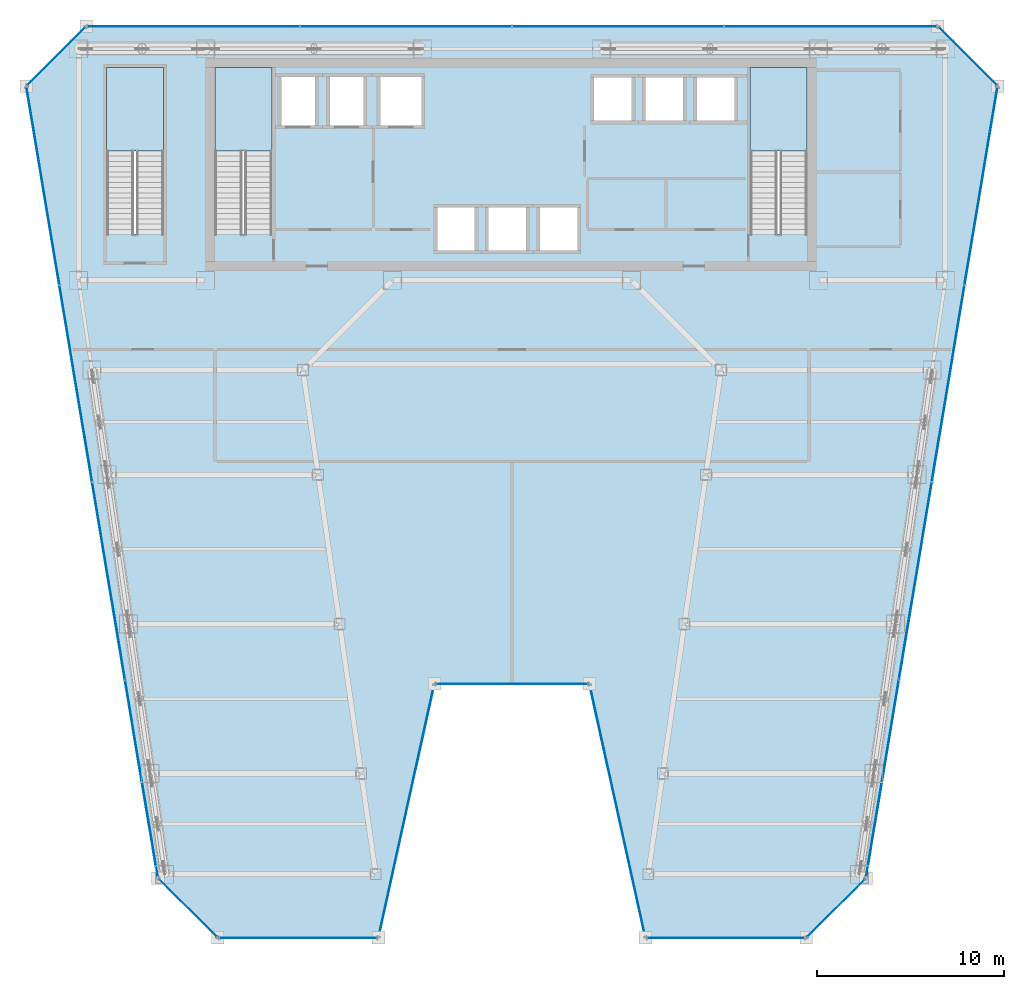
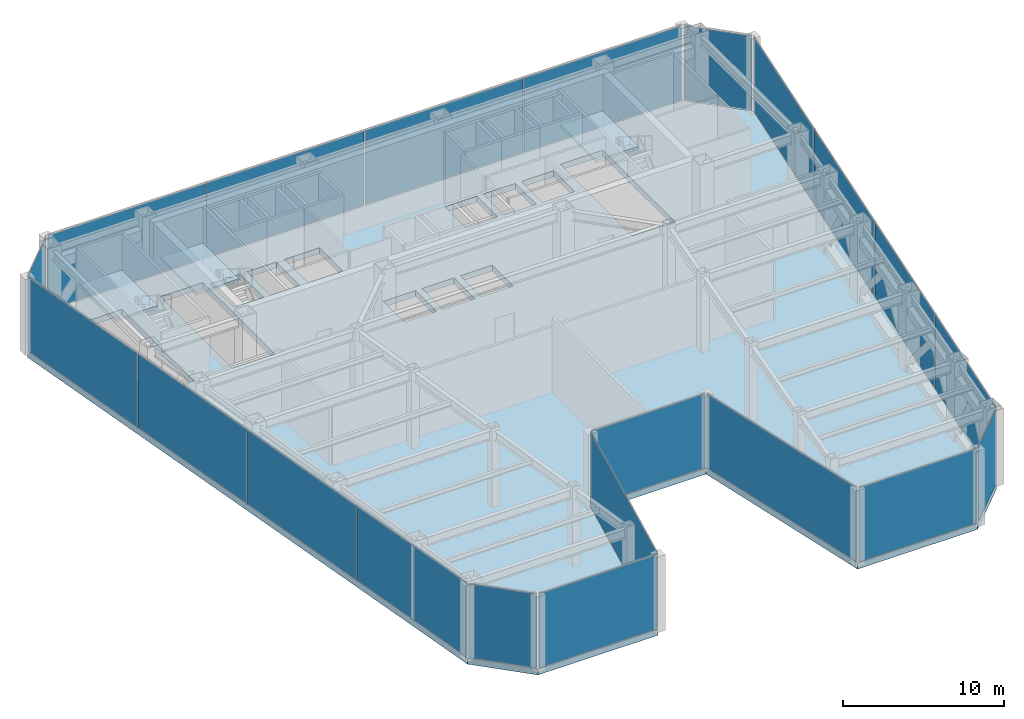
# One storey, part 24 of 30: 21 plates, 4 slabs, 15 elements without a shape of their own.
"""IFC4 building model written with IfcOpenShell, lengths in metres."""

from ifc_helpers import new_model, si_unit, direction, frame, origin, origin_2d, place, context, subcontext, project, spatial, polyline, rectangle, outline, extrude, material, layer, layer_set, type_object, element, aggregate, save


model = new_model("IFC4")

# Units and contexts
model_context = context("Model", 3, precision=1e-05, world=origin(), true_north=direction((0.0, 1.0)))
body_context = subcontext(model_context, "Body", "Model", "MODEL_VIEW")
ifc_project = project(units=[si_unit("LENGTHUNIT", "METRE"), si_unit("AREAUNIT", "SQUARE_METRE"), si_unit("VOLUMEUNIT", "CUBIC_METRE"), si_unit("PLANEANGLEUNIT", "RADIAN"), si_unit("MASSUNIT", "GRAM", prefix="KILO")], contexts=[model_context])

# Site, building, storey
site_placement = place(None, origin())
site = spatial("IfcSite", under=ifc_project, at=site_placement, CompositionType="ELEMENT")
building_placement = place(site_placement, origin())
building = spatial("IfcBuilding", under=site, at=building_placement, Name="Saevonmaru Cultural Tower", CompositionType="ELEMENT")
storey_placement = place(building_placement, frame((0.0, 0.0, 123.60009765625)))
storey = spatial("IfcBuildingStorey", under=building, at=storey_placement, Name="L26", CompositionType="ELEMENT", Elevation=123.60009765625)

# Curtain wall, plate
ifc_material_1 = material(Name="Satin Bronze Anodised Aluminium", Category="aluminium")
curtain_wall_type = type_object("IfcCurtainWallType", Name="CW-TYP-A", PredefinedType="NOTDEFINED", material=ifc_material_1)
curtain_wall_1_placement = place(storey_placement, origin())
curtain_wall_1 = element("IfcCurtainWall", 1, at=curtain_wall_1_placement, inside=storey, type_object=curtain_wall_type, Name="L26 Wind-Floor Acoustic Louvre Screen E1", PredefinedType="NOTDEFINED")
ifc_material_2 = material(Name="Champagne Bronze Anodised Aluminium", Category="aluminium")
ifc_layer_1 = layer(ifc_material_2, 0.080078125, Name="Champagne Bronze Anodised Aluminium")
ifc_layer_set_1 = layer_set([ifc_layer_1], Name="Champagne Bronze Anodised Aluminium")
plate_type = type_object("IfcPlateType", Name="PN-LOUVRE-WIND", PredefinedType="CURTAIN_PANEL", material=ifc_layer_set_1)
plate_1_placement = place(storey_placement, frame((12.64892578125, 8.800048828125, 0.06689453125), z_axis=(0.0, 0.0, 1.0), x_axis=(0.707106781187, -0.707106781187, 0.0)))
plate_1 = element("IfcPlate", 2, at=plate_1_placement, type_object=plate_type, Name="CW-TW-L26-E1 panel 1.1", PredefinedType="CURTAIN_PANEL", context=body_context, shape_type="SweptSolid", body=[
    extrude(rectangle(XDim=4.336669921875, YDim=0.035888671875, at=origin_2d()), origin(), (0.0, 0.0, 1.0), 5.615966796875),
])
aggregate(curtain_wall_1, [plate_1])

curtain_wall_2_placement = place(storey_placement, origin())
curtain_wall_2 = element("IfcCurtainWall", 3, at=curtain_wall_2_placement, inside=storey, type_object=curtain_wall_type, Name="L26 Wind-Floor Acoustic Louvre Screen E2", PredefinedType="NOTDEFINED")
plate_2_placement = place(storey_placement, frame((18.548828125, 7.199951171875, 0.06689453125), z_axis=(0.0, 0.0, 1.0), x_axis=(1.0, 0.0, 0.0)))
plate_2 = element("IfcPlate", 4, at=plate_2_placement, type_object=plate_type, Name="CW-TW-L26-E2 panel 1.1", PredefinedType="CURTAIN_PANEL", context=body_context, shape_type="SweptSolid", body=[
    extrude(rectangle(XDim=8.410888671875, YDim=0.035888671875, at=origin_2d()), origin(), (0.0, 0.0, 1.0), 5.615966796875),
])
aggregate(curtain_wall_2, [plate_2])

curtain_wall_3_placement = place(storey_placement, origin())
curtain_wall_3 = element("IfcCurtainWall", 5, at=curtain_wall_3_placement, inside=storey, type_object=curtain_wall_type, Name="L26 Wind-Floor Acoustic Louvre Screen E3", PredefinedType="NOTDEFINED")
plate_3_placement = place(storey_placement, frame((24.348876953125, 14.0, 0.06689453125), z_axis=(0.0, 0.0, 1.0), x_axis=(0.215413319953, 0.976522965212, 0.0)))
plate_3 = element("IfcPlate", 6, at=plate_3_placement, type_object=plate_type, Name="CW-TW-L26-E3 panel 1.1", PredefinedType="CURTAIN_PANEL", context=body_context, shape_type="SweptSolid", body=[
    extrude(rectangle(XDim=13.738037109375, YDim=0.035888671875, at=origin_2d()), origin(), (0.0, 0.0, 1.0), 5.615966796875),
])
aggregate(curtain_wall_3, [plate_3])

curtain_wall_4_placement = place(storey_placement, origin())
curtain_wall_4 = element("IfcCurtainWall", 7, at=curtain_wall_4_placement, inside=storey, type_object=curtain_wall_type, Name="L26 Wind-Floor Acoustic Louvre Screen E4", PredefinedType="NOTDEFINED")
plate_4_placement = place(storey_placement, frame((30.0, 20.800048828125, 0.06689453125), z_axis=(0.0, 0.0, 1.0), x_axis=(1.0, 0.0, 0.0)))
plate_4 = element("IfcPlate", 8, at=plate_4_placement, type_object=plate_type, Name="CW-TW-L26-E4 panel 1.1", PredefinedType="CURTAIN_PANEL", context=body_context, shape_type="SweptSolid", body=[
    extrude(rectangle(XDim=8.11328125, YDim=0.035888671875, at=origin_2d()), origin(), (0.0, 0.0, 1.0), 5.615966796875),
])
aggregate(curtain_wall_4, [plate_4])

curtain_wall_5_placement = place(storey_placement, origin())
curtain_wall_5 = element("IfcCurtainWall", 9, at=curtain_wall_5_placement, inside=storey, type_object=curtain_wall_type, Name="L26 Wind-Floor Acoustic Louvre Screen E5", PredefinedType="NOTDEFINED")
plate_5_placement = place(storey_placement, frame((35.651123046875, 14.0, 0.06689453125), z_axis=(0.0, 0.0, 1.0), x_axis=(0.215413319953, -0.976522965212, 0.0)))
plate_5 = element("IfcPlate", 10, at=plate_5_placement, type_object=plate_type, Name="CW-TW-L26-E5 panel 1.1", PredefinedType="CURTAIN_PANEL", context=body_context, shape_type="SweptSolid", body=[
    extrude(rectangle(XDim=13.738037109375, YDim=0.035888671875, at=origin_2d()), origin(), (0.0, 0.0, 1.0), 5.615966796875),
])
aggregate(curtain_wall_5, [plate_5])

curtain_wall_6_placement = place(storey_placement, origin())
curtain_wall_6 = element("IfcCurtainWall", 11, at=curtain_wall_6_placement, inside=storey, type_object=curtain_wall_type, Name="L26 Wind-Floor Acoustic Louvre Screen E6", PredefinedType="NOTDEFINED")
plate_6_placement = place(storey_placement, frame((41.451171875, 7.199951171875, 0.06689453125), z_axis=(0.0, 0.0, 1.0), x_axis=(1.0, 0.0, 0.0)))
plate_6 = element("IfcPlate", 12, at=plate_6_placement, type_object=plate_type, Name="CW-TW-L26-E6 panel 1.1", PredefinedType="CURTAIN_PANEL", context=body_context, shape_type="SweptSolid", body=[
    extrude(rectangle(XDim=8.410888671875, YDim=0.035888671875, at=origin_2d()), origin(), (0.0, 0.0, 1.0), 5.615966796875),
])
aggregate(curtain_wall_6, [plate_6])

curtain_wall_7_placement = place(storey_placement, origin())
curtain_wall_7 = element("IfcCurtainWall", 13, at=curtain_wall_7_placement, inside=storey, type_object=curtain_wall_type, Name="L26 Wind-Floor Acoustic Louvre Screen E7", PredefinedType="NOTDEFINED")
plate_7_placement = place(storey_placement, frame((47.35107421875, 8.800048828125, 0.06689453125), z_axis=(0.0, 0.0, 1.0), x_axis=(0.707106781187, 0.707106781187, 0.0)))
plate_7 = element("IfcPlate", 14, at=plate_7_placement, type_object=plate_type, Name="CW-TW-L26-E7 panel 1.1", PredefinedType="CURTAIN_PANEL", context=body_context, shape_type="SweptSolid", body=[
    extrude(rectangle(XDim=4.336669921875, YDim=0.035888671875, at=origin_2d()), origin(), (0.0, 0.0, 1.0), 5.615966796875),
])
aggregate(curtain_wall_7, [plate_7])

# Curtain wall, plates
curtain_wall_8_placement = place(storey_placement, origin())
curtain_wall_8 = element("IfcCurtainWall", 15, at=curtain_wall_8_placement, inside=storey, type_object=curtain_wall_type, Name="L26 Wind-Floor Acoustic Louvre Screen E8", PredefinedType="NOTDEFINED")
plate_8_placement = place(storey_placement, frame((49.839599609375, 15.744384765625, 0.06689453125), z_axis=(0.0, 0.0, 1.0), x_axis=(0.163998702345, 0.986460554523, 0.0)))
plate_8 = element("IfcPlate", 16, at=plate_8_placement, type_object=plate_type, Name="CW-TW-L26-E8 panel 1.1", PredefinedType="CURTAIN_PANEL", context=body_context, shape_type="SweptSolid", body=[
    extrude(rectangle(XDim=10.646484375, YDim=0.035888671875, at=origin_2d()), origin(), (0.0, 0.0, 1.0), 5.615966796875),
])
plate_9_placement = place(storey_placement, frame((51.596923828125, 26.314697265625, 0.06689453125), z_axis=(0.0, 0.0, 1.0), x_axis=(0.163998702345, 0.986460554523, 0.0)))
plate_9 = element("IfcPlate", 17, at=plate_9_placement, type_object=plate_type, Name="CW-TW-L26-E8 panel 2.1", PredefinedType="CURTAIN_PANEL", context=body_context, shape_type="SweptSolid", body=[
    extrude(rectangle(XDim=10.646484375, YDim=0.035888671875, at=origin_2d()), origin(), (0.0, 0.0, 1.0), 5.615966796875),
])
plate_10_placement = place(storey_placement, frame((53.354248046875, 36.88525390625, 0.06689453125), z_axis=(0.0, 0.0, 1.0), x_axis=(0.163998702345, 0.986460554523, 0.0)))
plate_10 = element("IfcPlate", 18, at=plate_10_placement, type_object=plate_type, Name="CW-TW-L26-E8 panel 3.1", PredefinedType="CURTAIN_PANEL", context=body_context, shape_type="SweptSolid", body=[
    extrude(rectangle(XDim=10.646484375, YDim=0.035888671875, at=origin_2d()), origin(), (0.0, 0.0, 1.0), 5.615966796875),
])
plate_11_placement = place(storey_placement, frame((55.111572265625, 47.45556640625, 0.06689453125), z_axis=(0.0, 0.0, 1.0), x_axis=(0.163998702345, 0.986460554523, 0.0)))
plate_11 = element("IfcPlate", 19, at=plate_11_placement, type_object=plate_type, Name="CW-TW-L26-E8 panel 4.1", PredefinedType="CURTAIN_PANEL", context=body_context, shape_type="SweptSolid", body=[
    extrude(rectangle(XDim=10.646484375, YDim=0.035888671875, at=origin_2d()), origin(), (0.0, 0.0, 1.0), 5.615966796875),
])
aggregate(curtain_wall_8, [plate_8, plate_9, plate_10, plate_11])

# Curtain wall, plate
curtain_wall_9_placement = place(storey_placement, origin())
curtain_wall_9 = element("IfcCurtainWall", 20, at=curtain_wall_9_placement, inside=storey, type_object=curtain_wall_type, Name="L26 Wind-Floor Acoustic Louvre Screen E9", PredefinedType="NOTDEFINED")
plate_12_placement = place(storey_placement, frame((54.39990234375, 54.39990234375, 0.06689453125), z_axis=(0.0, 0.0, 1.0), x_axis=(-0.707106781187, 0.707106781187, 0.0)))
plate_12 = element("IfcPlate", 21, at=plate_12_placement, type_object=plate_type, Name="CW-TW-L26-E9 panel 1.1", PredefinedType="CURTAIN_PANEL", context=body_context, shape_type="SweptSolid", body=[
    extrude(rectangle(XDim=4.336669921875, YDim=0.035888671875, at=origin_2d()), origin(), (0.0, 0.0, 1.0), 5.615966796875),
])
aggregate(curtain_wall_9, [plate_12])

# Curtain wall, plates
curtain_wall_10_placement = place(storey_placement, origin())
curtain_wall_10 = element("IfcCurtainWall", 22, at=curtain_wall_10_placement, inside=storey, type_object=curtain_wall_type, Name="L26 Wind-Floor Acoustic Louvre Screen E10", PredefinedType="NOTDEFINED")
plate_13_placement = place(storey_placement, frame((47.054931640625, 56.0, 0.06689453125), z_axis=(0.0, 0.0, 1.0), x_axis=(-1.0, 0.0, 0.0)))
plate_13 = element("IfcPlate", 23, at=plate_13_placement, type_object=plate_type, Name="CW-TW-L26-E10 panel 1.1", PredefinedType="CURTAIN_PANEL", context=body_context, shape_type="SweptSolid", body=[
    extrude(rectangle(XDim=11.301025390625, YDim=0.035888671875, at=origin_2d()), origin(), (0.0, 0.0, 1.0), 5.615966796875),
])
plate_14_placement = place(storey_placement, frame((35.68505859375, 56.0, 0.06689453125), z_axis=(0.0, 0.0, 1.0), x_axis=(-1.0, 0.0, 0.0)))
plate_14 = element("IfcPlate", 24, at=plate_14_placement, type_object=plate_type, Name="CW-TW-L26-E10 panel 2.1", PredefinedType="CURTAIN_PANEL", context=body_context, shape_type="SweptSolid", body=[
    extrude(rectangle(XDim=11.301025390625, YDim=0.035888671875, at=origin_2d()), origin(), (0.0, 0.0, 1.0), 5.615966796875),
])
plate_15_placement = place(storey_placement, frame((24.31494140625, 56.0, 0.06689453125), z_axis=(0.0, 0.0, 1.0), x_axis=(-1.0, 0.0, 0.0)))
plate_15 = element("IfcPlate", 25, at=plate_15_placement, type_object=plate_type, Name="CW-TW-L26-E10 panel 3.1", PredefinedType="CURTAIN_PANEL", context=body_context, shape_type="SweptSolid", body=[
    extrude(rectangle(XDim=11.301025390625, YDim=0.035888671875, at=origin_2d()), origin(), (0.0, 0.0, 1.0), 5.615966796875),
])
plate_16_placement = place(storey_placement, frame((12.945068359375, 56.0, 0.06689453125), z_axis=(0.0, 0.0, 1.0), x_axis=(-1.0, 0.0, 0.0)))
plate_16 = element("IfcPlate", 26, at=plate_16_placement, type_object=plate_type, Name="CW-TW-L26-E10 panel 4.1", PredefinedType="CURTAIN_PANEL", context=body_context, shape_type="SweptSolid", body=[
    extrude(rectangle(XDim=11.301025390625, YDim=0.035888671875, at=origin_2d()), origin(), (0.0, 0.0, 1.0), 5.615966796875),
])
aggregate(curtain_wall_10, [plate_13, plate_14, plate_15, plate_16])

# Curtain wall, plate
curtain_wall_11_placement = place(storey_placement, origin())
curtain_wall_11 = element("IfcCurtainWall", 27, at=curtain_wall_11_placement, inside=storey, type_object=curtain_wall_type, Name="L26 Wind-Floor Acoustic Louvre Screen E11", PredefinedType="NOTDEFINED")
plate_17_placement = place(storey_placement, frame((5.60009765625, 54.39990234375, 0.06689453125), z_axis=(0.0, 0.0, 1.0), x_axis=(-0.707106781187, -0.707106781187, 0.0)))
plate_17 = element("IfcPlate", 28, at=plate_17_placement, type_object=plate_type, Name="CW-TW-L26-E11 panel 1.1", PredefinedType="CURTAIN_PANEL", context=body_context, shape_type="SweptSolid", body=[
    extrude(rectangle(XDim=4.336669921875, YDim=0.035888671875, at=origin_2d()), origin(), (0.0, 0.0, 1.0), 5.615966796875),
])
aggregate(curtain_wall_11, [plate_17])

# Curtain wall, plates
curtain_wall_12_placement = place(storey_placement, origin())
curtain_wall_12 = element("IfcCurtainWall", 29, at=curtain_wall_12_placement, inside=storey, type_object=curtain_wall_type, Name="L26 Wind-Floor Acoustic Louvre Screen E12", PredefinedType="NOTDEFINED")
plate_18_placement = place(storey_placement, frame((4.888427734375, 47.45556640625, 0.06689453125), z_axis=(0.0, 0.0, 1.0), x_axis=(0.163998702345, -0.986460554523, 0.0)))
plate_18 = element("IfcPlate", 30, at=plate_18_placement, type_object=plate_type, Name="CW-TW-L26-E12 panel 1.1", PredefinedType="CURTAIN_PANEL", context=body_context, shape_type="SweptSolid", body=[
    extrude(rectangle(XDim=10.646484375, YDim=0.035888671875, at=origin_2d()), origin(), (0.0, 0.0, 1.0), 5.615966796875),
])
plate_19_placement = place(storey_placement, frame((6.645751953125, 36.88525390625, 0.06689453125), z_axis=(0.0, 0.0, 1.0), x_axis=(0.163998702345, -0.986460554523, 0.0)))
plate_19 = element("IfcPlate", 31, at=plate_19_placement, type_object=plate_type, Name="CW-TW-L26-E12 panel 2.1", PredefinedType="CURTAIN_PANEL", context=body_context, shape_type="SweptSolid", body=[
    extrude(rectangle(XDim=10.646484375, YDim=0.035888671875, at=origin_2d()), origin(), (0.0, 0.0, 1.0), 5.615966796875),
])
plate_20_placement = place(storey_placement, frame((8.403076171875, 26.314697265625, 0.06689453125), z_axis=(0.0, 0.0, 1.0), x_axis=(0.163998702345, -0.986460554523, 0.0)))
plate_20 = element("IfcPlate", 32, at=plate_20_placement, type_object=plate_type, Name="CW-TW-L26-E12 panel 3.1", PredefinedType="CURTAIN_PANEL", context=body_context, shape_type="SweptSolid", body=[
    extrude(rectangle(XDim=10.646484375, YDim=0.035888671875, at=origin_2d()), origin(), (0.0, 0.0, 1.0), 5.615966796875),
])
plate_21_placement = place(storey_placement, frame((10.160400390625, 15.744384765625, 0.06689453125), z_axis=(0.0, 0.0, 1.0), x_axis=(0.163998702345, -0.986460554523, 0.0)))
plate_21 = element("IfcPlate", 33, at=plate_21_placement, type_object=plate_type, Name="CW-TW-L26-E12 panel 4.1", PredefinedType="CURTAIN_PANEL", context=body_context, shape_type="SweptSolid", body=[
    extrude(rectangle(XDim=10.646484375, YDim=0.035888671875, at=origin_2d()), origin(), (0.0, 0.0, 1.0), 5.615966796875),
])
aggregate(curtain_wall_12, [plate_18, plate_19, plate_20, plate_21])

# Slab
ifc_material_3 = material(Name="Concrete C50/60", Category="concrete")
ifc_layer_2 = layer(ifc_material_3, 0.449951171875, Name="Concrete C50/60")
ifc_layer_set_2 = layer_set([ifc_layer_2], Name="Concrete C50/60")
slab_type_1 = type_object("IfcSlabType", Name="SL-FLR-450", PredefinedType="FLOOR", material=ifc_layer_set_2)
slab_1_placement = place(storey_placement, frame((0.0, 0.0, -0.4501953125)))
element("IfcSlab", 34, at=slab_1_placement, inside=storey, type_object=slab_type_1, Name="L26 Tower Structural Floor Slab", PredefinedType="FLOOR", context=body_context, shape_type="SweptSolid", body=[
    extrude(outline(polyline([(11.048828125, 10.39990234375), (14.248779296875, 7.199951171875), (22.848876953125, 7.199951171875), (25.848876953125, 20.800048828125), (34.151123046875, 20.800048828125), (37.151123046875, 7.199951171875), (45.751220703125, 7.199951171875), (48.951171875, 10.39990234375), (56.0, 52.800048828125), (52.800048828125, 56.0), (7.199951171875, 56.0), (4.0, 52.800048828125), (11.048828125, 10.39990234375)]), holes=[polyline([(45.800048828125, 44.875), (42.75, 44.875), (42.75, 53.800048828125), (45.800048828125, 53.800048828125), (45.800048828125, 44.875)]), polyline([(39.75, 50.800048828125), (39.75, 53.39990234375), (42.050048828125, 53.39990234375), (42.050048828125, 50.800048828125), (39.75, 50.800048828125)]), polyline([(37.0, 50.800048828125), (37.0, 53.39990234375), (39.300048828125, 53.39990234375), (39.300048828125, 50.800048828125), (37.0, 50.800048828125)]), polyline([(36.550048828125, 50.800048828125), (34.25, 50.800048828125), (34.25, 53.39990234375), (36.550048828125, 53.39990234375), (36.550048828125, 50.800048828125)]), polyline([(31.35009765625, 43.85009765625), (31.35009765625, 46.449951171875), (33.64990234375, 46.449951171875), (33.64990234375, 43.85009765625), (31.35009765625, 43.85009765625)]), polyline([(30.89990234375, 43.85009765625), (28.60009765625, 43.85009765625), (28.60009765625, 46.449951171875), (30.89990234375, 46.449951171875), (30.89990234375, 43.85009765625)]), polyline([(28.14990234375, 43.85009765625), (25.85009765625, 43.85009765625), (25.85009765625, 46.449951171875), (28.14990234375, 46.449951171875), (28.14990234375, 43.85009765625)]), polyline([(22.800048828125, 50.550048828125), (22.800048828125, 53.449951171875), (25.300048828125, 53.449951171875), (25.300048828125, 50.550048828125), (22.800048828125, 50.550048828125)]), polyline([(20.10009765625, 50.550048828125), (20.10009765625, 53.449951171875), (22.199951171875, 53.449951171875), (22.199951171875, 50.550048828125), (20.10009765625, 50.550048828125)]), polyline([(19.60009765625, 50.550048828125), (17.5, 50.550048828125), (17.5, 53.449951171875), (19.60009765625, 53.449951171875), (19.60009765625, 50.550048828125)]), polyline([(17.14990234375, 44.875), (14.10009765625, 44.875), (14.10009765625, 53.800048828125), (17.14990234375, 53.800048828125), (17.14990234375, 44.875)]), polyline([(11.35009765625, 44.875), (8.300048828125, 44.875), (8.300048828125, 53.800048828125), (11.35009765625, 53.800048828125), (11.35009765625, 44.875)])]), origin(), (0.0, 0.0, 1.0), 0.4501953125),
])

# Stair, slab
ifc_material_4 = material(Name="Concrete C40/50", Category="concrete")
stair_type = type_object("IfcStairType", Name="STR-DOGLEG-RC", PredefinedType="HALF_TURN_STAIR", material=ifc_material_4)
stair_1_placement = place(storey_placement, origin())
stair_1 = element("IfcStair", 35, at=stair_1_placement, inside=storey, type_object=stair_type, Name="L26 Protected exit stair ST-1", PredefinedType="HALF_TURN_STAIR")
ifc_layer_3 = layer(ifc_material_4, 0.199951171875, Name="Concrete C40/50")
ifc_layer_set_3 = layer_set([ifc_layer_3], Name="Concrete C40/50")
slab_type_2 = type_object("IfcSlabType", Name="SL-STAIR-LANDING", PredefinedType="LANDING", material=ifc_layer_set_3)
slab_2_placement = place(storey_placement, frame((0.0, 0.0, 2.7998046875)))
slab_2 = element("IfcSlab", 36, at=slab_2_placement, type_object=slab_type_2, Name="ST-1-L26 landing 1", PredefinedType="LANDING", context=body_context, shape_type="SweptSolid", body=[
    extrude(outline(polyline([(17.14990234375, 49.330078125), (17.14990234375, 53.800048828125), (14.10009765625, 53.800048828125), (14.10009765625, 49.330078125), (17.14990234375, 49.330078125)])), origin(), (0.0, 0.0, 1.0), 0.2001953125),
])
aggregate(stair_1, [slab_2])

stair_2_placement = place(storey_placement, origin())
stair_2 = element("IfcStair", 37, at=stair_2_placement, inside=storey, type_object=stair_type, Name="L26 Protected exit stair ST-2", PredefinedType="HALF_TURN_STAIR")
slab_3_placement = place(storey_placement, frame((0.0, 0.0, 2.7998046875)))
slab_3 = element("IfcSlab", 38, at=slab_3_placement, type_object=slab_type_2, Name="ST-2-L26 landing 1", PredefinedType="LANDING", context=body_context, shape_type="SweptSolid", body=[
    extrude(outline(polyline([(45.800048828125, 49.330078125), (45.800048828125, 53.800048828125), (42.75, 53.800048828125), (42.75, 49.330078125), (45.800048828125, 49.330078125)])), origin(), (0.0, 0.0, 1.0), 0.2001953125),
])
aggregate(stair_2, [slab_3])

stair_3_placement = place(storey_placement, origin())
stair_3 = element("IfcStair", 39, at=stair_3_placement, inside=storey, type_object=stair_type, Name="L26 Protected exit stair ST-3", PredefinedType="HALF_TURN_STAIR")
slab_4_placement = place(storey_placement, frame((0.0, 0.0, 2.7998046875)))
slab_4 = element("IfcSlab", 40, at=slab_4_placement, type_object=slab_type_2, Name="ST-3-L26 landing 1", PredefinedType="LANDING", context=body_context, shape_type="SweptSolid", body=[
    extrude(outline(polyline([(11.35009765625, 49.330078125), (11.35009765625, 53.800048828125), (8.300048828125, 53.800048828125), (8.300048828125, 49.330078125), (11.35009765625, 49.330078125)])), origin(), (0.0, 0.0, 1.0), 0.2001953125),
])
aggregate(stair_3, [slab_4])

save(model, "model.ifc")
